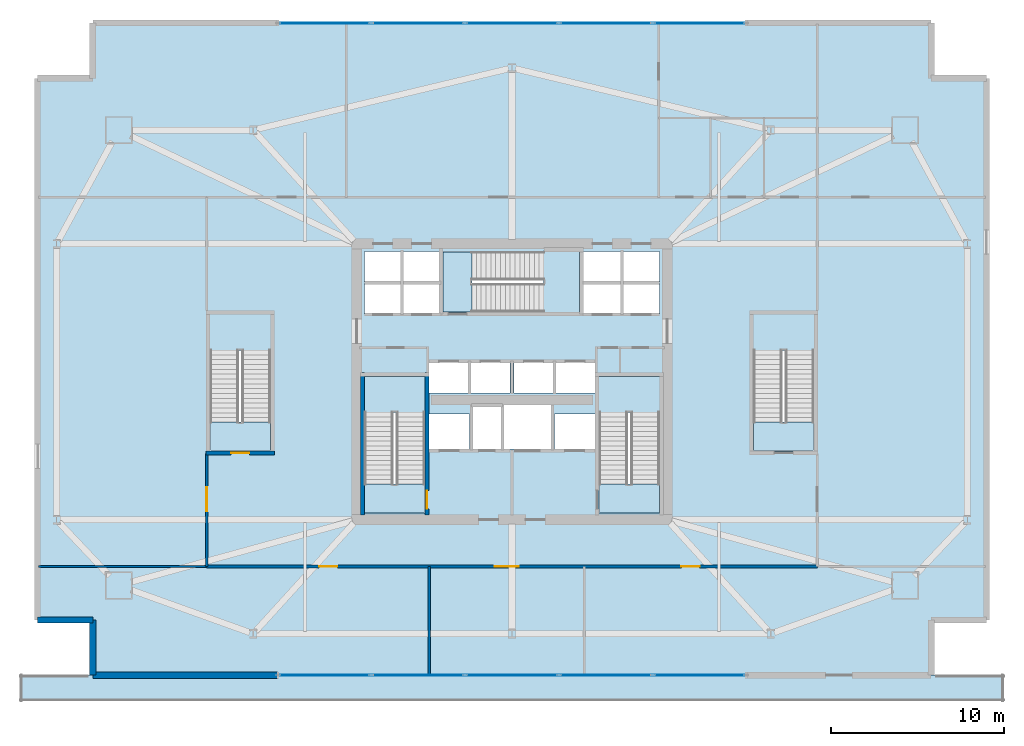
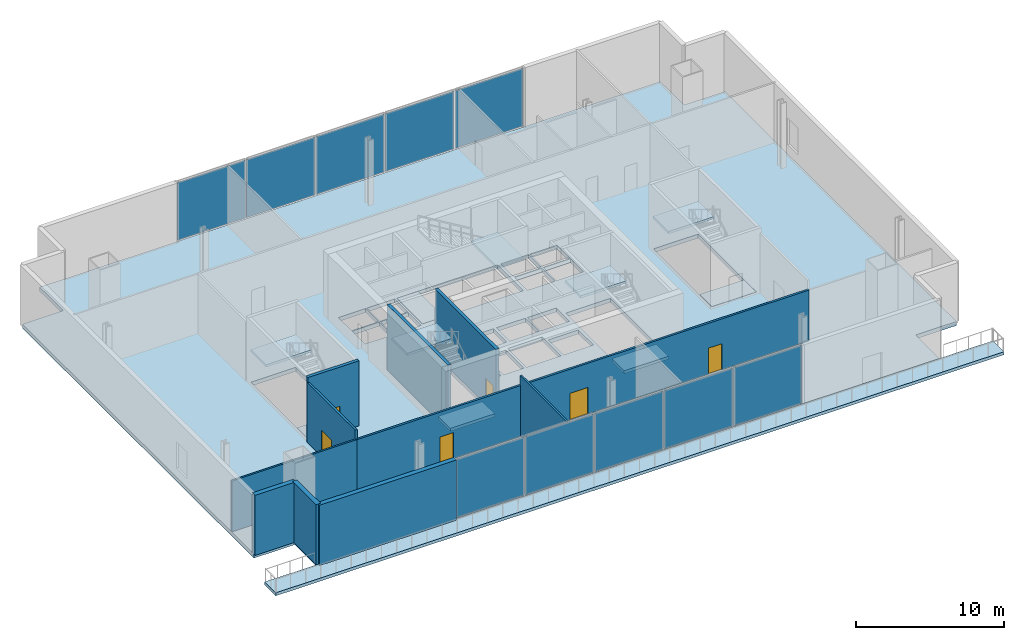
# One storey, part 9 of 16: 12 slabs, 10 plates, 10 walls, 6 doors, 6 openings, 7 elements without a shape of their own.
"""IFC4 building model written with IfcOpenShell, lengths in metres."""

import ifcopenshell
import ifcopenshell.guid

model = None  # the IFC model being written
_history = None  # IfcOwnerHistory: only IFC2X3 demands one
_inside = {}  # id of a spatial element -> (the spatial element, [elements in it])
_under = {}  # id of a project, library or spatial element -> (it, [spatial elements below it])
_declared = {}  # id of a project -> (the project, [libraries it declares])
_typed = {}  # id of a type object -> (the type object, [elements of that type])
_made_of = {}  # id of a material, layer set ... -> (it, [elements and type objects made of it])


def new_model(schema):
    """Start an empty IFC model of exactly this schema.

    Asked for "IFC4X3", IfcOpenShell would pick the latest addendum, in which some entities
    have other attributes; the version numbers below select the first issue.
    IFC2X3 requires an IfcOwnerHistory on every rooted entity: one is made here for all.
    """
    global model, _history
    if schema == "IFC4X3":
        model = ifcopenshell.file(schema_version=(4, 3, 0, 0))
    else:
        model = ifcopenshell.file(schema=schema)
    _inside.clear()
    _under.clear()
    _declared.clear()
    _typed.clear()
    _made_of.clear()
    _history = None
    if model.schema == "IFC2X3":
        org = make("IfcOrganization", Name="unknown")
        user = make(
            "IfcPersonAndOrganization",
            ThePerson=make("IfcPerson", FamilyName="unknown"),
            TheOrganization=org,
        )
        app = make(
            "IfcApplication",
            ApplicationDeveloper=org,
            Version="unknown",
            ApplicationFullName="unknown",
            ApplicationIdentifier="unknown",
        )
        _history = make(
            "IfcOwnerHistory",
            OwningUser=user,
            OwningApplication=app,
            ChangeAction="ADDED",
            CreationDate=0,
        )
    return model


def make(cls, **values):
    """One entity of the class cls with the attributes given. An attribute that is None is left unset."""
    return model.create_entity(
        cls, **{name: value for name, value in values.items() if value is not None}
    )


def rooted(cls, **values):
    """An entity with a GlobalId (a new one), such as an element, a storey or a relation."""
    return make(cls, GlobalId=ifcopenshell.guid.new(), OwnerHistory=_history, **values)


def si_unit(unit_type, name, prefix=None):
    """IfcSIUnit, for example si_unit("LENGTHUNIT", "METRE", prefix="MILLI")."""
    return make("IfcSIUnit", UnitType=unit_type, Prefix=prefix, Name=name)


def assignment(units):
    """IfcUnitAssignment: the units of a project."""
    return None if units is None else make("IfcUnitAssignment", Units=units)


def point(xyz):
    """IfcCartesianPoint."""
    return None if xyz is None else make("IfcCartesianPoint", Coordinates=xyz)


def direction(xyz):
    """IfcDirection."""
    return None if xyz is None else make("IfcDirection", DirectionRatios=xyz)


def frame(location, z_axis=None, x_axis=None):
    """IfcAxis2Placement3D, a coordinate frame: its origin and axes. An axis left out is left unset."""
    return make(
        "IfcAxis2Placement3D",
        Location=point(location),
        Axis=direction(z_axis),
        RefDirection=direction(x_axis),
    )


def frame_2d(location, x_axis=None):
    """IfcAxis2Placement2D, a coordinate frame in the plane: its origin and x axis."""
    return make(
        "IfcAxis2Placement2D", Location=point(location), RefDirection=direction(x_axis)
    )


def origin():
    """The frame at (0, 0, 0) with its axes left unset."""
    return frame((0.0, 0.0, 0.0))


def origin_2d():
    """The frame at (0, 0) in the plane with its x axis left unset."""
    return frame_2d((0.0, 0.0))


def place(relative_to, where):
    """IfcLocalPlacement: puts the frame where relative to a parent placement (None: the world)."""
    return make(
        "IfcLocalPlacement", PlacementRelTo=relative_to, RelativePlacement=where
    )


def context(
    kind, dimensions, precision=None, world=None, true_north=None, identifier=None
):
    """IfcGeometricRepresentationContext, for example the 3D "Model" context."""
    return make(
        "IfcGeometricRepresentationContext",
        ContextIdentifier=identifier,
        ContextType=kind,
        CoordinateSpaceDimension=dimensions,
        Precision=precision,
        WorldCoordinateSystem=world,
        TrueNorth=true_north,
    )


def subcontext(parent, identifier, kind, view, scale=None):
    """IfcGeometricRepresentationSubContext, for example "Body" below "Model"."""
    return make(
        "IfcGeometricRepresentationSubContext",
        ContextIdentifier=identifier,
        ContextType=kind,
        ParentContext=parent,
        TargetScale=scale,
        TargetView=view,
    )


def project(units=None, contexts=None):
    """IfcProject with its units and contexts."""
    return rooted(
        "IfcProject",
        Name="project",
        RepresentationContexts=contexts,
        UnitsInContext=assignment(units),
    )


def spatial(cls, under=None, at=None, **own):
    """A site, building, storey or space (cls), placed at a placement, below another one or the project."""
    s = rooted(cls, ObjectPlacement=at, **own)
    if under is not None:
        _under.setdefault(under.id(), (under, []))[1].append(s)
    return s


def polyline(points):
    """IfcPolyline through the points."""
    return make("IfcPolyline", Points=[point(p) for p in points])


def profile(cls, at=None, kind="AREA", **sizes):
    """A parametric profile (cls). Its sizes go by their IFC names, for example OverallWidth=200.0."""
    return make(cls, ProfileType=kind, Position=at, **sizes)


def rectangle(**sizes):
    """IfcRectangleProfileDef."""
    return profile("IfcRectangleProfileDef", **sizes)


def outline(outer, holes=None, kind="AREA"):
    """IfcArbitraryClosedProfileDef: a profile drawn as a closed curve; with holes, ...WithVoids."""
    if holes is None:
        return make("IfcArbitraryClosedProfileDef", ProfileType=kind, OuterCurve=outer)
    return make(
        "IfcArbitraryProfileDefWithVoids",
        ProfileType=kind,
        OuterCurve=outer,
        InnerCurves=holes,
    )


def extrude(swept, where, along, depth):
    """IfcExtrudedAreaSolid: the profile swept, set in the frame where, extruded along a direction by depth."""
    return make(
        "IfcExtrudedAreaSolid",
        SweptArea=swept,
        Position=where,
        ExtrudedDirection=direction(along),
        Depth=depth,
    )


def shape(context_of_items, identifier, shape_type, items):
    """IfcShapeRepresentation: the items that make up one representation, for example the "Body"."""
    return make(
        "IfcShapeRepresentation",
        ContextOfItems=context_of_items,
        RepresentationIdentifier=identifier,
        RepresentationType=shape_type,
        Items=items,
    )


def source(mapping_origin, context_of_items, identifier, shape_type, items):
    """IfcRepresentationMap: a shape defined once, which mapped items show again and again."""
    return make(
        "IfcRepresentationMap",
        MappingOrigin=mapping_origin,
        MappedRepresentation=shape(context_of_items, identifier, shape_type, items),
    )


def transform(
    local_origin,
    x_axis=None,
    y_axis=None,
    z_axis=None,
    scale=None,
    scale2=None,
    scale3=None,
    uniform=True,
):
    """IfcCartesianTransformationOperator3D, or its non-uniform kind. x_axis, y_axis, z_axis: its Axis1, 2, 3."""
    if uniform:
        return make(
            "IfcCartesianTransformationOperator3D",
            Axis1=direction(x_axis),
            Axis2=direction(y_axis),
            LocalOrigin=point(local_origin),
            Scale=scale,
            Axis3=direction(z_axis),
        )
    return make(
        "IfcCartesianTransformationOperator3DnonUniform",
        Axis1=direction(x_axis),
        Axis2=direction(y_axis),
        LocalOrigin=point(local_origin),
        Scale=scale,
        Axis3=direction(z_axis),
        Scale2=scale2,
        Scale3=scale3,
    )


def mapped(mapping_source, mapping_target):
    """IfcMappedItem: shows the shape of a source again, moved by a transform."""
    return make(
        "IfcMappedItem", MappingSource=mapping_source, MappingTarget=mapping_target
    )


def material(Name=None, Category=None):
    """IfcMaterial."""
    return make("IfcMaterial", Name=Name, Category=Category)


def layer(
    of_material, thickness, ventilated=None, Name=None, Category=None, Priority=None
):
    """IfcMaterialLayer: one layer of a wall or slab, of a material (None: an air gap)."""
    return make(
        "IfcMaterialLayer",
        Material=of_material,
        LayerThickness=thickness,
        IsVentilated=ventilated,
        Name=Name,
        Category=Category,
        Priority=Priority,
    )


def layer_set(layers, Name=None):
    """IfcMaterialLayerSet."""
    return make("IfcMaterialLayerSet", MaterialLayers=layers, LayerSetName=Name)


def made_of(thing, what):
    """Note that an element or type object is made of a material, layer set ...; save() writes the relation."""
    if what is not None:
        _made_of.setdefault(what.id(), (what, []))[1].append(thing)
    return thing


def type_object(cls, material=None, **own):
    """A type object (cls), such as IfcWallType, which elements share."""
    return made_of(rooted(cls, **own), material)


def element(
    cls,
    number,
    at=None,
    inside=None,
    cuts=None,
    type_object=None,
    material=None,
    context=None,
    identifier="Body",
    shape_type=None,
    held_by="IfcProductDefinitionShape",
    body=None,
    shapes=None,
    **own,
):
    """One element of the class cls, such as IfcWall. Its Tag is "e" and its number.

    at: its placement. inside: the storey or other place that contains it. cuts: it is an
    opening in that element (IfcRelVoidsElement). A single representation is given by context,
    identifier, shape_type and body (its items); several are given by shapes. held_by: the class
    of the entity that holds the representations. save() writes the other relations.
    """
    e = rooted(cls, Tag="e%d" % number, ObjectPlacement=at, **own)
    if body is not None:
        shapes = [shape(context, identifier, shape_type, body)]
    if shapes is not None:
        e.Representation = make(held_by, Representations=shapes)
    if inside is not None:
        _inside.setdefault(inside.id(), (inside, []))[1].append(e)
    if cuts is not None:
        rooted(
            "IfcRelVoidsElement", RelatingBuildingElement=cuts, RelatedOpeningElement=e
        )
    if type_object is not None:
        _typed.setdefault(type_object.id(), (type_object, []))[1].append(e)
    return made_of(e, material)


def fill(opening, filler):
    """IfcRelFillsElement: the door or window that sits in an opening."""
    return rooted(
        "IfcRelFillsElement",
        RelatingOpeningElement=opening,
        RelatedBuildingElement=filler,
    )


def aggregate(whole, parts):
    """IfcRelAggregates: a whole, such as a stair, and the parts it consists of."""
    return rooted("IfcRelAggregates", RelatingObject=whole, RelatedObjects=parts)


def save(model, path):
    """Write the relations noted so far, then the file.

    IfcRelAggregates (storeys below a building ...), IfcRelContainedInSpatialStructure (elements
    in a storey), IfcRelDefinesByType, IfcRelAssociatesMaterial and IfcRelDeclares: one each for
    every whole, place, type object, material and project.
    """
    for whole, parts in _under.values():
        aggregate(whole, parts)
    for where, things in _inside.values():
        rooted(
            "IfcRelContainedInSpatialStructure",
            RelatedElements=things,
            RelatingStructure=where,
        )
    for kind, things in _typed.values():
        rooted("IfcRelDefinesByType", RelatedObjects=things, RelatingType=kind)
    for what, things in _made_of.values():
        rooted("IfcRelAssociatesMaterial", RelatedObjects=things, RelatingMaterial=what)
    for by, libraries in _declared.values():
        rooted("IfcRelDeclares", RelatingContext=by, RelatedDefinitions=libraries)
    model.write(path)


model = new_model("IFC4")

# Units and contexts
model_context = context("Model", 3, precision=1e-05, world=origin(), true_north=direction((0.0, 1.0)))
body_context = subcontext(model_context, "Body", "Model", "MODEL_VIEW")
ifc_project = project(units=[si_unit("LENGTHUNIT", "METRE"), si_unit("AREAUNIT", "SQUARE_METRE"), si_unit("VOLUMEUNIT", "CUBIC_METRE"), si_unit("PLANEANGLEUNIT", "RADIAN"), si_unit("MASSUNIT", "GRAM", prefix="KILO")], contexts=[model_context])

# Site, building, storey
site_placement = place(None, origin())
site = spatial("IfcSite", under=ifc_project, at=site_placement, CompositionType="ELEMENT")
building_placement = place(site_placement, origin())
building = spatial("IfcBuilding", under=site, at=building_placement, Name="Haldenkirk Collegiate Tower", CompositionType="ELEMENT")
storey_placement = place(building_placement, frame((0.0, 0.0, 16.800048828125)))
storey = spatial("IfcBuildingStorey", under=building, at=storey_placement, Name="L03", CompositionType="ELEMENT", Elevation=16.800048828125)

# Slab
ifc_material_1 = material(Name="Concrete f'c 40 MPa", Category="concrete")
ifc_layer_1 = layer(ifc_material_1, 0.330078125)
ifc_layer_set_1 = layer_set([ifc_layer_1], Name="Concrete f'c 40 MPa")
slab_type_1 = type_object("IfcSlabType", Name="SLB-FLR-330", PredefinedType="FLOOR", material=ifc_layer_set_1)
slab_1_placement = place(storey_placement, frame((0.0, 0.0, -0.330078125)))
element("IfcSlab", 1, at=slab_1_placement, inside=storey, type_object=slab_type_1, Name="L03 composite structural floor slab", PredefinedType="FLOOR", context=body_context, shape_type="SweptSolid", body=[
    extrude(outline(polyline([(11.699951171875, 9.0), (60.300048828125, 9.0), (60.300048828125, 12.199951171875), (63.5, 12.199951171875), (63.5, 43.60009765625), (60.300048828125, 43.60009765625), (60.300048828125, 46.800048828125), (11.699951171875, 46.800048828125), (11.699951171875, 43.60009765625), (8.5, 43.60009765625), (8.5, 12.199951171875), (11.699951171875, 12.199951171875), (11.699951171875, 9.0)]), holes=[polyline([(27.449951171875, 18.39990234375), (30.949951171875, 18.39990234375), (30.949951171875, 26.300048828125), (27.449951171875, 26.300048828125), (27.449951171875, 18.39990234375)]), polyline([(41.050048828125, 18.39990234375), (44.550048828125, 18.39990234375), (44.550048828125, 26.300048828125), (41.050048828125, 26.300048828125), (41.050048828125, 18.39990234375)]), polyline([(32.0, 30.050048828125), (39.89990234375, 30.050048828125), (39.89990234375, 33.550048828125), (32.0, 33.550048828125), (32.0, 30.050048828125)]), polyline([(33.75, 22.10009765625), (35.35009765625, 22.10009765625), (35.35009765625, 24.550048828125), (33.75, 24.550048828125), (33.75, 22.10009765625)]), polyline([(18.5, 22.0), (22.0, 22.0), (22.0, 29.89990234375), (18.5, 29.89990234375), (18.5, 22.0)]), polyline([(50.0, 22.0), (53.5, 22.0), (53.5, 29.89990234375), (50.0, 29.89990234375), (50.0, 22.0)]), polyline([(27.449951171875, 29.949951171875), (29.580078125, 29.949951171875), (29.580078125, 31.699951171875), (27.449951171875, 31.699951171875), (27.449951171875, 29.949951171875)]), polyline([(29.679931640625, 29.949951171875), (31.85009765625, 29.949951171875), (31.85009765625, 31.699951171875), (29.679931640625, 31.699951171875), (29.679931640625, 29.949951171875)]), polyline([(27.449951171875, 31.800048828125), (29.580078125, 31.800048828125), (29.580078125, 33.550048828125), (27.449951171875, 33.550048828125), (27.449951171875, 31.800048828125)]), polyline([(29.679931640625, 31.800048828125), (31.85009765625, 31.800048828125), (31.85009765625, 33.550048828125), (29.679931640625, 33.550048828125), (29.679931640625, 31.800048828125)]), polyline([(40.14990234375, 29.949951171875), (42.320068359375, 29.949951171875), (42.320068359375, 31.699951171875), (40.14990234375, 31.699951171875), (40.14990234375, 29.949951171875)]), polyline([(42.419921875, 29.949951171875), (44.550048828125, 29.949951171875), (44.550048828125, 31.699951171875), (42.419921875, 31.699951171875), (42.419921875, 29.949951171875)]), polyline([(40.14990234375, 31.800048828125), (42.320068359375, 31.800048828125), (42.320068359375, 33.550048828125), (40.14990234375, 33.550048828125), (40.14990234375, 31.800048828125)]), polyline([(42.419921875, 31.800048828125), (44.550048828125, 31.800048828125), (44.550048828125, 33.550048828125), (42.419921875, 33.550048828125), (42.419921875, 31.800048828125)]), polyline([(31.199951171875, 25.35009765625), (33.47998046875, 25.35009765625), (33.47998046875, 27.14990234375), (31.199951171875, 27.14990234375), (31.199951171875, 25.35009765625)]), polyline([(33.60009765625, 25.35009765625), (35.8798828125, 25.35009765625), (35.8798828125, 27.14990234375), (33.60009765625, 27.14990234375), (33.60009765625, 25.35009765625)]), polyline([(36.1201171875, 25.35009765625), (38.39990234375, 25.35009765625), (38.39990234375, 27.14990234375), (36.1201171875, 27.14990234375), (36.1201171875, 25.35009765625)]), polyline([(38.52001953125, 25.35009765625), (40.800048828125, 25.35009765625), (40.800048828125, 27.14990234375), (38.52001953125, 27.14990234375), (38.52001953125, 25.35009765625)]), polyline([(31.199951171875, 22.10009765625), (33.550048828125, 22.10009765625), (33.550048828125, 24.14990234375), (31.199951171875, 24.14990234375), (31.199951171875, 22.10009765625)]), polyline([(38.449951171875, 22.10009765625), (40.800048828125, 22.10009765625), (40.800048828125, 24.14990234375), (38.449951171875, 24.14990234375), (38.449951171875, 22.10009765625)]), polyline([(35.550048828125, 22.10009765625), (38.25, 22.10009765625), (38.25, 24.64990234375), (35.550048828125, 24.64990234375), (35.550048828125, 22.10009765625)])]), origin(), (0.0, 0.0, 1.0), 0.330078125),
])

# Stair, slab
stair_type = type_object("IfcStairType", Name="STR-DOGLEG-1650", PredefinedType="HALF_TURN_STAIR", material=ifc_material_1)
stair_1_placement = place(storey_placement, origin())
stair_1 = element("IfcStair", 2, at=stair_1_placement, inside=storey, type_object=stair_type, Name="L03 Core Exit Stair ST-1", PredefinedType="HALF_TURN_STAIR")
ifc_layer_2 = layer(ifc_material_1, 0.199951171875)
ifc_layer_set_2 = layer_set([ifc_layer_2], Name="Concrete f'c 40 MPa")
slab_type_2 = type_object("IfcSlabType", Name="SLB-LANDING-200", PredefinedType="LANDING", material=ifc_layer_set_2)
slab_2_placement = place(storey_placement, frame((0.0, 0.0, 2.5)))
slab_2 = element("IfcSlab", 3, at=slab_2_placement, type_object=slab_type_2, Name="ST-1 landing 1", PredefinedType="LANDING", context=body_context, shape_type="SweptSolid", body=[
    extrude(outline(polyline([(30.97509765625, 24.22509765625), (27.425048828125, 24.22509765625), (27.425048828125, 26.324951171875), (30.97509765625, 26.324951171875), (30.97509765625, 24.22509765625)])), origin(), (0.0, 0.0, 1.0), 0.199951171875),
])
aggregate(stair_1, [slab_2])

stair_2_placement = place(storey_placement, origin())
stair_2 = element("IfcStair", 4, at=stair_2_placement, inside=storey, type_object=stair_type, Name="L03 Core Exit Stair ST-2", PredefinedType="HALF_TURN_STAIR")
slab_3_placement = place(storey_placement, frame((0.0, 0.0, 2.5)))
slab_3 = element("IfcSlab", 5, at=slab_3_placement, type_object=slab_type_2, Name="ST-2 landing 1", PredefinedType="LANDING", context=body_context, shape_type="SweptSolid", body=[
    extrude(outline(polyline([(44.574951171875, 24.22509765625), (41.02490234375, 24.22509765625), (41.02490234375, 26.324951171875), (44.574951171875, 26.324951171875), (44.574951171875, 24.22509765625)])), origin(), (0.0, 0.0, 1.0), 0.199951171875),
])
aggregate(stair_2, [slab_3])

stair_3_placement = place(storey_placement, origin())
stair_3 = element("IfcStair", 6, at=stair_3_placement, inside=storey, type_object=stair_type, Name="L03 Core Exit Stair ST-3", PredefinedType="HALF_TURN_STAIR")
slab_4_placement = place(storey_placement, frame((0.0, 0.0, 2.5)))
slab_4 = element("IfcSlab", 7, at=slab_4_placement, type_object=slab_type_2, Name="ST-3 landing 1", PredefinedType="LANDING", context=body_context, shape_type="SweptSolid", body=[
    extrude(outline(polyline([(37.824951171875, 30.02490234375), (37.824951171875, 33.574951171875), (39.925048828125, 33.574951171875), (39.925048828125, 30.02490234375), (37.824951171875, 30.02490234375)])), origin(), (0.0, 0.0, 1.0), 0.199951171875),
])
aggregate(stair_3, [slab_4])

stair_4_placement = place(storey_placement, origin())
stair_4 = element("IfcStair", 8, at=stair_4_placement, inside=storey, type_object=stair_type, Name="L03 Podium Exit Stair ST-4", PredefinedType="HALF_TURN_STAIR")
slab_5_placement = place(storey_placement, frame((0.0, 0.0, 2.5)))
slab_5 = element("IfcSlab", 9, at=slab_5_placement, type_object=slab_type_2, Name="ST-4 landing 1", PredefinedType="LANDING", context=body_context, shape_type="SweptSolid", body=[
    extrude(outline(polyline([(22.02490234375, 27.824951171875), (18.47509765625, 27.824951171875), (18.47509765625, 29.925048828125), (22.02490234375, 29.925048828125), (22.02490234375, 27.824951171875)])), origin(), (0.0, 0.0, 1.0), 0.199951171875),
])
aggregate(stair_4, [slab_5])

stair_5_placement = place(storey_placement, origin())
stair_5 = element("IfcStair", 10, at=stair_5_placement, inside=storey, type_object=stair_type, Name="L03 Podium Exit Stair ST-5", PredefinedType="HALF_TURN_STAIR")
slab_6_placement = place(storey_placement, frame((0.0, 0.0, 2.5)))
slab_6 = element("IfcSlab", 11, at=slab_6_placement, type_object=slab_type_2, Name="ST-5 landing 1", PredefinedType="LANDING", context=body_context, shape_type="SweptSolid", body=[
    extrude(outline(polyline([(53.52490234375, 27.824951171875), (49.97509765625, 27.824951171875), (49.97509765625, 29.925048828125), (53.52490234375, 29.925048828125), (53.52490234375, 27.824951171875)])), origin(), (0.0, 0.0, 1.0), 0.199951171875),
])
aggregate(stair_5, [slab_6])

# Slabs
ifc_layer_3 = layer(ifc_material_1, 0.25)
ifc_layer_set_3 = layer_set([ifc_layer_3], Name="Concrete f'c 40 MPa")
slab_type_3 = type_object("IfcSlabType", Name="SLB-STAIRLAND-250", PredefinedType="LANDING", material=ifc_layer_set_3)
slab_7_placement = place(storey_placement, frame((0.0, 0.0, -0.25)))
element("IfcSlab", 12, at=slab_7_placement, inside=storey, type_object=slab_type_3, Name="L03 stair ST1 structural floor landing slab", PredefinedType="LANDING", context=body_context, shape_type="SweptSolid", body=[
    extrude(outline(polyline([(27.4599609375, 18.409912109375), (30.93994140625, 18.409912109375), (30.93994140625, 20.080078125), (27.4599609375, 20.080078125), (27.4599609375, 18.409912109375)])), origin(), (0.0, 0.0, 1.0), 0.25),
])
slab_8_placement = place(storey_placement, frame((0.0, 0.0, -0.25)))
element("IfcSlab", 13, at=slab_8_placement, inside=storey, type_object=slab_type_3, Name="L03 stair ST2 structural floor landing slab", PredefinedType="LANDING", context=body_context, shape_type="SweptSolid", body=[
    extrude(outline(polyline([(41.06005859375, 18.409912109375), (44.5400390625, 18.409912109375), (44.5400390625, 20.080078125), (41.06005859375, 20.080078125), (41.06005859375, 18.409912109375)])), origin(), (0.0, 0.0, 1.0), 0.25),
])
slab_9_placement = place(storey_placement, frame((0.0, 0.0, -0.25)))
element("IfcSlab", 14, at=slab_9_placement, inside=storey, type_object=slab_type_3, Name="L03 stair ST3 structural floor landing slab", PredefinedType="LANDING", context=body_context, shape_type="SweptSolid", body=[
    extrude(outline(polyline([(32.010009765625, 30.06005859375), (33.679931640625, 30.06005859375), (33.679931640625, 33.5400390625), (32.010009765625, 33.5400390625), (32.010009765625, 30.06005859375)])), origin(), (0.0, 0.0, 1.0), 0.25),
])
slab_10_placement = place(storey_placement, frame((0.0, 0.0, -0.25)))
element("IfcSlab", 15, at=slab_10_placement, inside=storey, type_object=slab_type_3, Name="L03 stair ST4 structural floor landing slab", PredefinedType="LANDING", context=body_context, shape_type="SweptSolid", body=[
    extrude(outline(polyline([(18.510009765625, 22.010009765625), (21.989990234375, 22.010009765625), (21.989990234375, 23.679931640625), (18.510009765625, 23.679931640625), (18.510009765625, 22.010009765625)])), origin(), (0.0, 0.0, 1.0), 0.25),
])
slab_11_placement = place(storey_placement, frame((0.0, 0.0, -0.25)))
element("IfcSlab", 16, at=slab_11_placement, inside=storey, type_object=slab_type_3, Name="L03 stair ST5 structural floor landing slab", PredefinedType="LANDING", context=body_context, shape_type="SweptSolid", body=[
    extrude(outline(polyline([(50.010009765625, 22.010009765625), (53.489990234375, 22.010009765625), (53.489990234375, 23.679931640625), (50.010009765625, 23.679931640625), (50.010009765625, 22.010009765625)])), origin(), (0.0, 0.0, 1.0), 0.25),
])
ifc_layer_4 = layer(ifc_material_1, 0.25)
ifc_layer_set_4 = layer_set([ifc_layer_4], Name="Concrete f'c 40 MPa")
slab_type_4 = type_object("IfcSlabType", Name="SLB-TERR-POD-250", PredefinedType="FLOOR", material=ifc_layer_set_4)
slab_12_placement = place(storey_placement, frame((0.0, 0.0, -0.25)))
element("IfcSlab", 17, at=slab_12_placement, inside=storey, type_object=slab_type_4, Name="L03 cascading podium garden terrace 1", PredefinedType="FLOOR", context=body_context, shape_type="SweptSolid", body=[
    extrude(outline(polyline([(7.5, 7.5), (64.5, 7.5), (64.5, 9.0), (7.5, 9.0), (7.5, 7.5)])), origin(), (0.0, 0.0, 1.0), 0.25),
])

# Curtain wall, plates
ifc_material_2 = material(Name="Anodised architectural bronze aluminium", Category="aluminium")
curtain_wall_type = type_object("IfcCurtainWallType", Name="CW-SYS3-PODIUM", PredefinedType="USERDEFINED", material=ifc_material_2)
curtain_wall_1_placement = place(storey_placement, origin())
curtain_wall_1 = element("IfcCurtainWall", 18, at=curtain_wall_1_placement, inside=storey, type_object=curtain_wall_type, Name="L03 Podium campus concourse and library storefront curtain wall", ObjectType="UNITISED CURTAIN WALL", PredefinedType="USERDEFINED")
ifc_material_3 = material(Name="Low-E argon triple insulating glass", Category="glass")
ifc_layer_5 = layer(ifc_material_3, 0.050048828125)
ifc_layer_set_5 = layer_set([ifc_layer_5], Name="Low-E argon triple insulating glass")
plate_type = type_object("IfcPlateType", Name="CW-PNL-03", PredefinedType="CURTAIN_PANEL", material=ifc_layer_set_5)
shared_shape_1 = source(origin(), body_context, "Body", "SweptSolid", [
    extrude(rectangle(XDim=5.30078125, YDim=0.050048828125, at=origin_2d()), origin(), (0.0, 0.0, 1.0), 4.7900390625),
])
plate_1_placement = place(storey_placement, frame((46.862548828125, 9.0, 0.094970703125), z_axis=(0.0, 0.0, 1.0), x_axis=(-1.0, 0.0, 0.0)))
plate_1 = element("IfcPlate", 19, at=plate_1_placement, type_object=plate_type, Name="CW-03 panel 1.1", PredefinedType="CURTAIN_PANEL", context=body_context, shape_type="MappedRepresentation", body=[
    mapped(shared_shape_1, transform((0.0, 0.0, 0.0), x_axis=(1.0, 0.0, 0.0), y_axis=(0.0, 1.0, 0.0), z_axis=(0.0, 0.0, 1.0), scale=1.0)),
])
plate_2_placement = place(storey_placement, frame((25.137451171875, 9.0, 0.094970703125), z_axis=(0.0, 0.0, 1.0), x_axis=(-1.0, 0.0, 0.0)))
plate_2 = element("IfcPlate", 20, at=plate_2_placement, type_object=plate_type, Name="CW-03 panel 5.1", PredefinedType="CURTAIN_PANEL", context=body_context, shape_type="MappedRepresentation", body=[
    mapped(shared_shape_1, transform((0.0, 0.0, 0.0), x_axis=(1.0, 0.0, 0.0), y_axis=(0.0, 1.0, 0.0), z_axis=(0.0, 0.0, 1.0), scale=1.0)),
])

curtain_wall_2_placement = place(storey_placement, origin())
curtain_wall_2 = element("IfcCurtainWall", 21, at=curtain_wall_2_placement, inside=storey, type_object=curtain_wall_type, Name="L03 Podium campus concourse and library storefront curtain wall", ObjectType="UNITISED CURTAIN WALL", PredefinedType="USERDEFINED")
plate_3_placement = place(storey_placement, frame((25.137451171875, 46.800048828125, 0.094970703125), z_axis=(0.0, 0.0, 1.0), x_axis=(1.0, 0.0, 0.0)))
plate_3 = element("IfcPlate", 22, at=plate_3_placement, type_object=plate_type, Name="CW-03 panel 1.1", PredefinedType="CURTAIN_PANEL", context=body_context, shape_type="MappedRepresentation", body=[
    mapped(shared_shape_1, transform((0.0, 0.0, 0.0), x_axis=(1.0, 0.0, 0.0), y_axis=(0.0, 1.0, 0.0), z_axis=(0.0, 0.0, 1.0), scale=1.0)),
])
plate_4_placement = place(storey_placement, frame((46.862548828125, 46.800048828125, 0.094970703125), z_axis=(0.0, 0.0, 1.0), x_axis=(1.0, 0.0, 0.0)))
plate_4 = element("IfcPlate", 23, at=plate_4_placement, type_object=plate_type, Name="CW-03 panel 5.1", PredefinedType="CURTAIN_PANEL", context=body_context, shape_type="MappedRepresentation", body=[
    mapped(shared_shape_1, transform((0.0, 0.0, 0.0), x_axis=(1.0, 0.0, 0.0), y_axis=(0.0, 1.0, 0.0), z_axis=(0.0, 0.0, 1.0), scale=1.0)),
])

# Plate
shared_shape_2 = source(origin(), body_context, "Body", "SweptSolid", [
    extrude(rectangle(XDim=5.34814453125, YDim=0.050048828125, at=origin_2d()), origin(), (0.0, 0.0, 1.0), 4.7900390625),
])
plate_5_placement = place(storey_placement, frame((41.443115234375, 9.0, 0.094970703125), z_axis=(0.0, 0.0, 1.0), x_axis=(-1.0, 0.0, 0.0)))
plate_5 = element("IfcPlate", 24, at=plate_5_placement, type_object=plate_type, Name="CW-03 panel 2.1", PredefinedType="CURTAIN_PANEL", context=body_context, shape_type="MappedRepresentation", body=[
    mapped(shared_shape_2, transform((0.0, 0.0, 0.0), x_axis=(1.0, 0.0, 0.0), y_axis=(0.0, 1.0, 0.0), z_axis=(0.0, 0.0, 1.0), scale=1.0)),
])

plate_6_placement = place(storey_placement, frame((36.0, 9.0, 0.094970703125), z_axis=(0.0, 0.0, 1.0), x_axis=(-1.0, 0.0, 0.0)))
plate_6 = element("IfcPlate", 25, at=plate_6_placement, type_object=plate_type, Name="CW-03 panel 3.1", PredefinedType="CURTAIN_PANEL", context=body_context, shape_type="MappedRepresentation", body=[
    mapped(shared_shape_2, transform((0.0, 0.0, 0.0), x_axis=(1.0, 0.0, 0.0), y_axis=(0.0, 1.0, 0.0), z_axis=(0.0, 0.0, 1.0), scale=1.0)),
])

plate_7_placement = place(storey_placement, frame((30.556884765625, 9.0, 0.094970703125), z_axis=(0.0, 0.0, 1.0), x_axis=(-1.0, 0.0, 0.0)))
plate_7 = element("IfcPlate", 26, at=plate_7_placement, type_object=plate_type, Name="CW-03 panel 4.1", PredefinedType="CURTAIN_PANEL", context=body_context, shape_type="MappedRepresentation", body=[
    mapped(shared_shape_2, transform((0.0, 0.0, 0.0), x_axis=(1.0, 0.0, 0.0), y_axis=(0.0, 1.0, 0.0), z_axis=(0.0, 0.0, 1.0), scale=1.0)),
])

aggregate(curtain_wall_1, [plate_1, plate_5, plate_6, plate_7, plate_2])

plate_8_placement = place(storey_placement, frame((30.556884765625, 46.800048828125, 0.094970703125), z_axis=(0.0, 0.0, 1.0), x_axis=(1.0, 0.0, 0.0)))
plate_8 = element("IfcPlate", 27, at=plate_8_placement, type_object=plate_type, Name="CW-03 panel 2.1", PredefinedType="CURTAIN_PANEL", context=body_context, shape_type="MappedRepresentation", body=[
    mapped(shared_shape_2, transform((0.0, 0.0, 0.0), x_axis=(1.0, 0.0, 0.0), y_axis=(0.0, 1.0, 0.0), z_axis=(0.0, 0.0, 1.0), scale=1.0)),
])

plate_9_placement = place(storey_placement, frame((36.0, 46.800048828125, 0.094970703125), z_axis=(0.0, 0.0, 1.0), x_axis=(1.0, 0.0, 0.0)))
plate_9 = element("IfcPlate", 28, at=plate_9_placement, type_object=plate_type, Name="CW-03 panel 3.1", PredefinedType="CURTAIN_PANEL", context=body_context, shape_type="MappedRepresentation", body=[
    mapped(shared_shape_2, transform((0.0, 0.0, 0.0), x_axis=(1.0, 0.0, 0.0), y_axis=(0.0, 1.0, 0.0), z_axis=(0.0, 0.0, 1.0), scale=1.0)),
])

plate_10_placement = place(storey_placement, frame((41.443115234375, 46.800048828125, 0.094970703125), z_axis=(0.0, 0.0, 1.0), x_axis=(1.0, 0.0, 0.0)))
plate_10 = element("IfcPlate", 29, at=plate_10_placement, type_object=plate_type, Name="CW-03 panel 4.1", PredefinedType="CURTAIN_PANEL", context=body_context, shape_type="MappedRepresentation", body=[
    mapped(shared_shape_2, transform((0.0, 0.0, 0.0), x_axis=(1.0, 0.0, 0.0), y_axis=(0.0, 1.0, 0.0), z_axis=(0.0, 0.0, 1.0), scale=1.0)),
])

aggregate(curtain_wall_2, [plate_3, plate_8, plate_9, plate_10, plate_4])

# Walls
ifc_material_4 = material(Name="Precast concrete f'c 40 MPa", Category="concrete")
ifc_layer_6 = layer(ifc_material_4, 0.360107421875)
ifc_layer_set_6 = layer_set([ifc_layer_6], Name="Precast concrete f'c 40 MPa")
wall_type_1 = type_object("IfcWallType", Name="WL-EXT-POD-360", PredefinedType="STANDARD", material=ifc_layer_set_6)
wall_1_placement = place(storey_placement, frame((22.39208984375, 9.0, 0.0), z_axis=(0.0, 0.0, 1.0), x_axis=(-1.0, 0.0, 0.0)))
element("IfcWall", 30, at=wall_1_placement, inside=storey, type_object=wall_type_1, Name="L03 podium precast frame pier 1R", PredefinedType="STANDARD", context=body_context, shape_type="SweptSolid", body=[
    extrude(rectangle(XDim=10.692138671875, YDim=0.360107421875, at=frame_2d((5.34619140625, 0.0))), origin(), (0.0, 0.0, 1.0), 4.97998046875),
])
for number, where, z_axis, x_axis, name in (
    (31, (11.699951171875, 12.199951171875, 0.0), (0.0, 0.0, 1.0), (-1.0, 0.0, 0.0), "L03 podium bronze precast wall 11"),
    (32, (11.699951171875, 9.0, 0.0), (0.0, 0.0, 1.0), (0.0, 1.0, 0.0), "L03 podium bronze precast wall 12"),
):
    element("IfcWall", number, at=place(storey_placement, frame(where, z_axis=z_axis, x_axis=x_axis)), inside=storey, type_object=wall_type_1, Name=name, PredefinedType="STANDARD", context=body_context, shape_type="SweptSolid", body=[
        extrude(rectangle(XDim=3.199951171875, YDim=0.360107421875, at=frame_2d((1.60009765625, 0.0))), origin(), (0.0, 0.0, 1.0), 4.97998046875),
    ])

# Wall, openings, doors
ifc_material_5 = material(Name="Acoustic fire-rated gypsum partition", Category="concrete")
ifc_layer_7 = layer(ifc_material_5, 0.159912109375)
ifc_layer_set_7 = layer_set([ifc_layer_7], Name="Acoustic fire-rated gypsum partition")
wall_type_2 = type_object("IfcWallType", Name="WL-INT-CORR-160", PredefinedType="PARTITIONING", material=ifc_layer_set_7)
wall_2_placement = place(storey_placement, frame((18.300048828125, 15.300048828125, 0.0), z_axis=(0.0, 0.0, 1.0), x_axis=(1.0, 0.0, 0.0)))
wall_2 = element("IfcWall", 33, at=wall_2_placement, inside=storey, type_object=wall_type_2, Name="L03 interior partition IW-L03-CS", PredefinedType="PARTITIONING", context=body_context, shape_type="SweptSolid", body=[
    extrude(rectangle(XDim=35.39990234375, YDim=0.159912109375, at=frame_2d((17.699951171875, 0.0))), origin(), (0.0, 0.0, 1.0), 4.201904296875),
])
opening_1_placement = place(wall_2_placement, frame((6.52490234375, 0.0, 0.0)))
opening_1 = element("IfcOpeningElement", 34, at=opening_1_placement, cuts=wall_2, Name="Opening D-09", PredefinedType="OPENING", context=body_context, shape_type="SweptSolid", body=[
    extrude(rectangle(XDim=1.050048828125, YDim=2.14990234375, at=frame_2d((0.52490234375, 1.074951171875))), frame((0.0, 0.08984375, 0.0), z_axis=(0.0, -1.0, 0.0), x_axis=(1.0, 0.0, 0.0)), (0.0, 0.0, 1.0), 0.179931640625),
])
opening_2_placement = place(wall_2_placement, frame((16.699951171875, 0.0, 0.0)))
opening_2 = element("IfcOpeningElement", 35, at=opening_2_placement, cuts=wall_2, Name="Opening D-07", PredefinedType="OPENING", context=body_context, shape_type="SweptSolid", body=[
    extrude(rectangle(XDim=1.39990234375, YDim=2.199951171875, at=frame_2d((0.699951171875, 1.10009765625))), frame((0.0, 0.08984375, 0.0), z_axis=(0.0, -1.0, 0.0), x_axis=(1.0, 0.0, 0.0)), (0.0, 0.0, 1.0), 0.179931640625),
])
opening_3_placement = place(wall_2_placement, frame((27.52490234375, 0.0, 0.0)))
opening_3 = element("IfcOpeningElement", 36, at=opening_3_placement, cuts=wall_2, Name="Opening D-09", PredefinedType="OPENING", context=body_context, shape_type="SweptSolid", body=[
    extrude(rectangle(XDim=1.050048828125, YDim=2.14990234375, at=frame_2d((0.52490234375, 1.074951171875))), frame((0.0, 0.08984375, 0.0), z_axis=(0.0, -1.0, 0.0), x_axis=(1.0, 0.0, 0.0)), (0.0, 0.0, 1.0), 0.179931640625),
])
ifc_material_6 = material(Name="Solid-core architectural oak fire door", Category="wood")
ifc_layer_8 = layer(ifc_material_6, 0.06005859375)
ifc_layer_set_8 = layer_set([ifc_layer_8], Name="Solid-core architectural oak fire door")
door_type_1 = type_object("IfcDoorType", Name="DR-INT-FD60-1050", OperationType="NOTDEFINED", PredefinedType="DOOR", material=ifc_layer_set_8)
door_1_placement = place(opening_1_placement, origin())
door_1 = element("IfcDoor", 37, at=door_1_placement, inside=storey, type_object=door_type_1, Name="L03 south-west door", OperationType="SINGLE_SWING_RIGHT", OverallHeight=2.14990234375, OverallWidth=1.050048828125, PredefinedType="DOOR", context=body_context, shape_type="SweptSolid", body=[
    extrude(rectangle(XDim=1.050048828125, YDim=2.14990234375, at=frame_2d((0.52490234375, 1.074951171875))), frame((0.0, 0.02490234375, 0.0), z_axis=(0.0, -1.0, 0.0), x_axis=(1.0, 0.0, 0.0)), (0.0, 0.0, 1.0), 0.050048828125),
])
fill(opening_1, door_1)
door_2_placement = place(opening_3_placement, origin())
door_2 = element("IfcDoor", 38, at=door_2_placement, inside=storey, type_object=door_type_1, Name="L03 south-east door", OperationType="SINGLE_SWING_LEFT", OverallHeight=2.14990234375, OverallWidth=1.050048828125, PredefinedType="DOOR", context=body_context, shape_type="SweptSolid", body=[
    extrude(rectangle(XDim=1.050048828125, YDim=2.14990234375, at=frame_2d((0.52490234375, 1.074951171875))), frame((0.0, 0.02490234375, 0.0), z_axis=(0.0, -1.0, 0.0), x_axis=(1.0, 0.0, 0.0)), (0.0, 0.0, 1.0), 0.050048828125),
])
fill(opening_3, door_2)
ifc_material_7 = material(Name="Galvanized fire-rated hollow steel door", Category="steel")
ifc_layer_9 = layer(ifc_material_7, 0.06005859375)
ifc_layer_set_9 = layer_set([ifc_layer_9], Name="Galvanized fire-rated hollow steel door")
door_type_2 = type_object("IfcDoorType", Name="DR-LOBBY-FD60-1400", OperationType="NOTDEFINED", PredefinedType="DOOR", material=ifc_layer_set_9)
door_3_placement = place(opening_2_placement, origin())
door_3 = element("IfcDoor", 39, at=door_3_placement, inside=storey, type_object=door_type_2, Name="L03 south gallery door", OperationType="DOUBLE_DOOR_SINGLE_SWING", OverallHeight=2.199951171875, OverallWidth=1.39990234375, PredefinedType="DOOR", context=body_context, shape_type="SweptSolid", body=[
    extrude(rectangle(XDim=1.39990234375, YDim=2.199951171875, at=frame_2d((0.699951171875, 1.10009765625))), frame((0.0, 0.02490234375, 0.0), z_axis=(0.0, -1.0, 0.0), x_axis=(1.0, 0.0, 0.0)), (0.0, 0.0, 1.0), 0.050048828125),
])
fill(opening_2, door_3)

# Wall, opening, door
wall_3_placement = place(storey_placement, frame((18.300048828125, 15.300048828125, 0.0), z_axis=(0.0, 0.0, 1.0), x_axis=(0.0, 1.0, 0.0)))
wall_3 = element("IfcWall", 40, at=wall_3_placement, inside=storey, type_object=wall_type_2, Name="L03 interior partition IW-L03-CW1", PredefinedType="PARTITIONING", context=body_context, shape_type="SweptSolid", body=[
    extrude(rectangle(XDim=6.550048828125, YDim=0.159912109375, at=frame_2d((3.27490234375, 0.0))), origin(), (0.0, 0.0, 1.0), 4.97998046875),
])
opening_4_placement = place(wall_3_placement, frame((3.199951171875, 0.0, 0.0)))
opening_4 = element("IfcOpeningElement", 41, at=opening_4_placement, cuts=wall_3, Name="Opening D-07", PredefinedType="OPENING", context=body_context, shape_type="SweptSolid", body=[
    extrude(rectangle(XDim=1.39990234375, YDim=2.199951171875, at=frame_2d((0.699951171875, 1.10009765625))), frame((0.0, 0.08984375, 0.0), z_axis=(0.0, -1.0, 0.0), x_axis=(1.0, 0.0, 0.0)), (0.0, 0.0, 1.0), 0.179931640625),
])
door_4_placement = place(opening_4_placement, origin())
door_4 = element("IfcDoor", 42, at=door_4_placement, inside=storey, type_object=door_type_2, Name="L03 west wing door", OperationType="DOUBLE_DOOR_SINGLE_SWING", OverallHeight=2.199951171875, OverallWidth=1.39990234375, PredefinedType="DOOR", context=body_context, shape_type="SweptSolid", body=[
    extrude(rectangle(XDim=1.39990234375, YDim=2.199951171875, at=frame_2d((0.699951171875, 1.10009765625))), frame((0.0, 0.02490234375, 0.0), z_axis=(0.0, -1.0, 0.0), x_axis=(1.0, 0.0, 0.0)), (0.0, 0.0, 1.0), 0.050048828125),
])
fill(opening_4, door_4)

# Walls
ifc_layer_10 = layer(ifc_material_5, 0.139892578125)
ifc_layer_set_10 = layer_set([ifc_layer_10], Name="Acoustic fire-rated gypsum partition")
wall_type_3 = type_object("IfcWallType", Name="WL-INT-DIV-140", PredefinedType="PARTITIONING", material=ifc_layer_set_10)
wall_4_placement = place(storey_placement, frame((8.5400390625, 15.300048828125, 0.0), z_axis=(0.0, 0.0, 1.0), x_axis=(1.0, 0.0, 0.0)))
element("IfcWall", 43, at=wall_4_placement, inside=storey, type_object=wall_type_3, Name="L03 interior partition IW-L03-WCS1", PredefinedType="PARTITIONING", context=body_context, shape_type="SweptSolid", body=[
    extrude(rectangle(XDim=9.760009765625, YDim=0.139892578125, at=frame_2d((4.8798828125, 0.0))), origin(), (0.0, 0.0, 1.0), 4.201904296875),
])
wall_5_placement = place(storey_placement, frame((31.199951171875, 9.0400390625, 0.0), z_axis=(0.0, 0.0, 1.0), x_axis=(0.0, 1.0, 0.0)))
element("IfcWall", 44, at=wall_5_placement, inside=storey, type_object=wall_type_3, Name="L03 interior partition IW-L03-SD1", PredefinedType="PARTITIONING", context=body_context, shape_type="SweptSolid", body=[
    extrude(rectangle(XDim=6.260009765625, YDim=0.139892578125, at=frame_2d((3.1298828125, 0.0))), origin(), (0.0, 0.0, 1.0), 4.97998046875),
])

# Wall, opening, door
ifc_material_8 = material(Name="Concrete f'c 55 MPa", Category="concrete")
ifc_layer_11 = layer(ifc_material_8, 0.239990234375)
ifc_layer_set_11 = layer_set([ifc_layer_11], Name="Concrete f'c 55 MPa")
wall_type_4 = type_object("IfcWallType", Name="WL-SHAFT-240", PredefinedType="SHEAR", material=ifc_layer_set_11)
wall_6_placement = place(storey_placement, frame((31.070068359375, 18.280029296875, 0.0), z_axis=(0.0, 0.0, 1.0), x_axis=(0.0, 1.0, 0.0)))
wall_6 = element("IfcWall", 45, at=wall_6_placement, inside=storey, type_object=wall_type_4, Name="L03 stair shaft shear wall SW-L03-ST1E", PredefinedType="SHEAR", context=body_context, shape_type="SweptSolid", body=[
    extrude(rectangle(XDim=8.260009765625, YDim=0.239990234375, at=frame_2d((4.1298828125, 0.0))), origin(), (0.0, 0.0, 1.0), 5.39990234375),
])
opening_5_placement = place(wall_6_placement, frame((0.364990234375, 0.0, 0.0)))
opening_5 = element("IfcOpeningElement", 46, at=opening_5_placement, cuts=wall_6, Name="Opening D-01", PredefinedType="OPENING", context=body_context, shape_type="SweptSolid", body=[
    extrude(rectangle(XDim=1.050048828125, YDim=2.14990234375, at=frame_2d((0.52490234375, 1.074951171875))), frame((0.0, 0.1298828125, 0.0), z_axis=(0.0, -1.0, 0.0), x_axis=(1.0, 0.0, 0.0)), (0.0, 0.0, 1.0), 0.260009765625),
])
ifc_layer_12 = layer(ifc_material_7, 0.06005859375)
ifc_layer_set_12 = layer_set([ifc_layer_12], Name="Galvanized fire-rated hollow steel door")
door_type_3 = type_object("IfcDoorType", Name="DR-STAIR-FD90-1050", OperationType="NOTDEFINED", PredefinedType="DOOR", material=ifc_layer_set_12)
door_5_placement = place(opening_5_placement, origin())
door_5 = element("IfcDoor", 47, at=door_5_placement, inside=storey, type_object=door_type_3, Name="L03 Stair 1 door", OperationType="SINGLE_SWING_LEFT", OverallHeight=2.14990234375, OverallWidth=1.050048828125, PredefinedType="DOOR", context=body_context, shape_type="SweptSolid", body=[
    extrude(rectangle(XDim=1.050048828125, YDim=2.14990234375, at=frame_2d((0.52490234375, 1.074951171875))), frame((0.0, 0.02490234375, 0.0), z_axis=(0.0, -1.0, 0.0), x_axis=(1.0, 0.0, 0.0)), (0.0, 0.0, 1.0), 0.050048828125),
])
fill(opening_5, door_5)

# Wall
wall_7_placement = place(storey_placement, frame((27.330078125, 18.280029296875, 0.0), z_axis=(0.0, 0.0, 1.0), x_axis=(0.0, 1.0, 0.0)))
element("IfcWall", 48, at=wall_7_placement, inside=storey, type_object=wall_type_4, Name="L03 stair shaft shear wall SW-L03-ST1W", PredefinedType="SHEAR", context=body_context, shape_type="SweptSolid", body=[
    extrude(rectangle(XDim=8.260009765625, YDim=0.239990234375, at=frame_2d((4.1298828125, 0.0))), origin(), (0.0, 0.0, 1.0), 5.39990234375),
])

# Wall, opening, door
wall_8_placement = place(storey_placement, frame((18.260009765625, 21.8798828125, 0.0), z_axis=(0.0, 0.0, 1.0), x_axis=(1.0, 0.0, 0.0)))
wall_8 = element("IfcWall", 49, at=wall_8_placement, inside=storey, type_object=wall_type_4, Name="L03 stair shaft shear wall SW-L03-ST4S", PredefinedType="SHEAR", context=body_context, shape_type="SweptSolid", body=[
    extrude(rectangle(XDim=3.97998046875, YDim=0.239990234375, at=frame_2d((1.989990234375, 0.0))), origin(), (0.0, 0.0, 1.0), 5.39990234375),
])
opening_6_placement = place(wall_8_placement, frame((1.465087890625, 0.0, 0.0)))
opening_6 = element("IfcOpeningElement", 50, at=opening_6_placement, cuts=wall_8, Name="Opening D-01", PredefinedType="OPENING", context=body_context, shape_type="SweptSolid", body=[
    extrude(rectangle(XDim=1.050048828125, YDim=2.14990234375, at=frame_2d((0.52490234375, 1.074951171875))), frame((0.0, 0.1298828125, 0.0), z_axis=(0.0, -1.0, 0.0), x_axis=(1.0, 0.0, 0.0)), (0.0, 0.0, 1.0), 0.260009765625),
])
door_6_placement = place(opening_6_placement, origin())
door_6 = element("IfcDoor", 51, at=door_6_placement, inside=storey, type_object=door_type_3, Name="L03 Stair 4 door", OperationType="SINGLE_SWING_RIGHT", OverallHeight=2.14990234375, OverallWidth=1.050048828125, PredefinedType="DOOR", context=body_context, shape_type="SweptSolid", body=[
    extrude(rectangle(XDim=1.050048828125, YDim=2.14990234375, at=frame_2d((0.52490234375, 1.074951171875))), frame((0.0, 0.02490234375, 0.0), z_axis=(0.0, -1.0, 0.0), x_axis=(1.0, 0.0, 0.0)), (0.0, 0.0, 1.0), 0.050048828125),
])
fill(opening_6, door_6)

save(model, "model.ifc")
